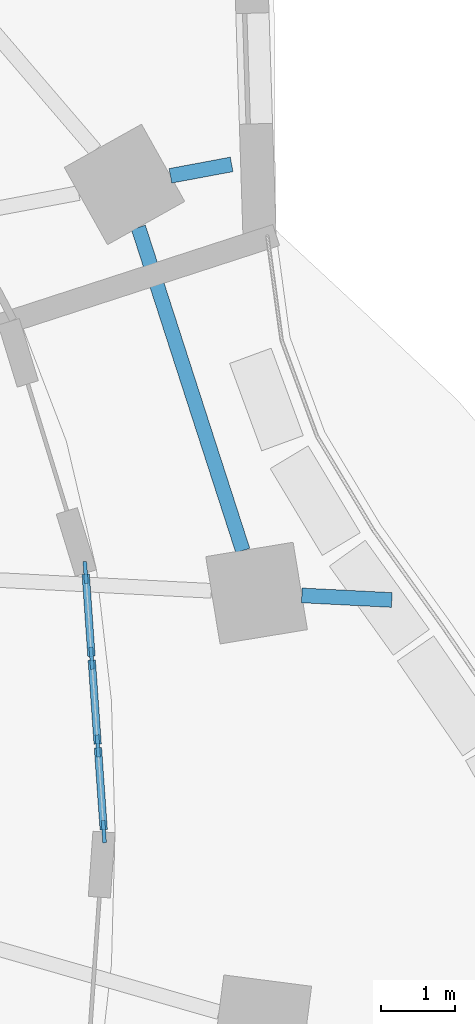
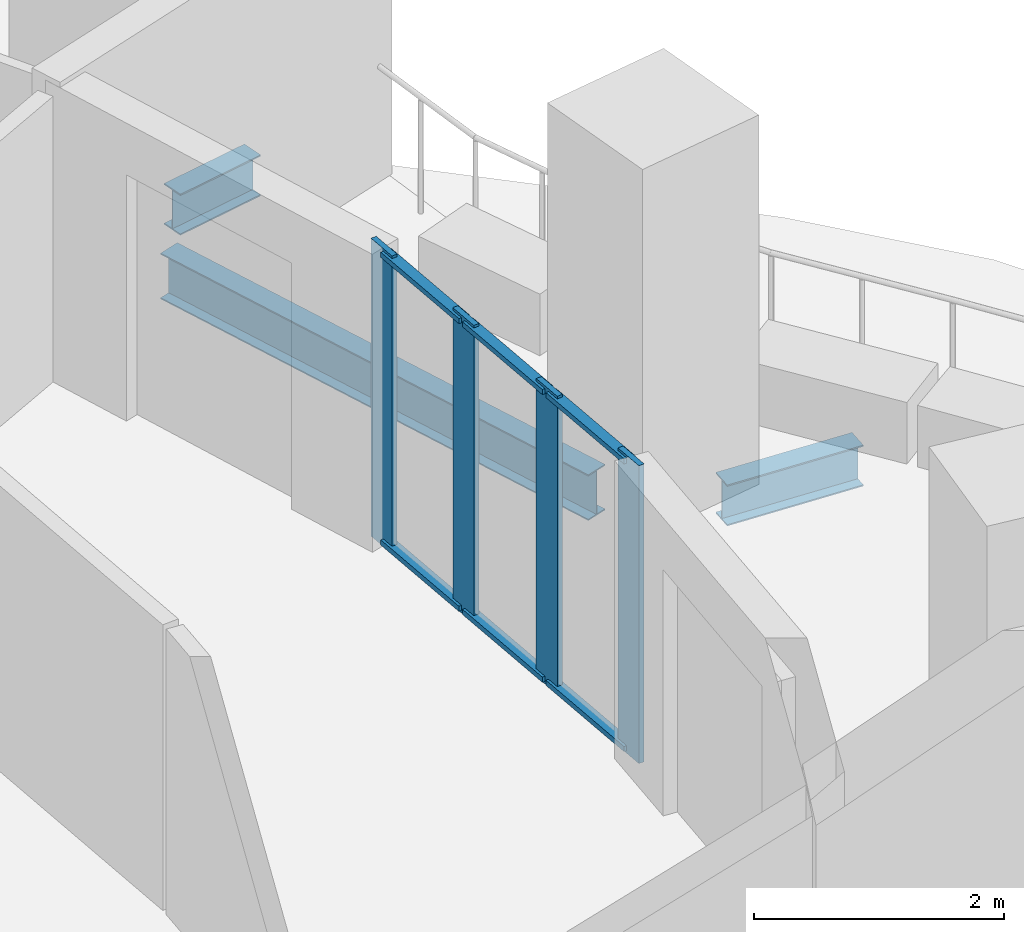
# One storey, part 2 of 13: 10 members, 3 beams, 1 element without a shape of its own.
"""IFC4 building model written with IfcOpenShell, lengths in metres."""

from ifc_helpers import new_model, si_unit, direction, frame, origin, origin_2d, place, context, subcontext, project, spatial, rectangle, i_section, extrude, material, material_profile, profile_set, type_object, element, aggregate, save


model = new_model("IFC4")

# Units and contexts
model_context = context("Model", 3, precision=1e-05, world=origin(), true_north=direction((0.0, 1.0)))
body_context = subcontext(model_context, "Body", "Model", "MODEL_VIEW")
ifc_project = project(units=[si_unit("LENGTHUNIT", "METRE"), si_unit("AREAUNIT", "SQUARE_METRE"), si_unit("VOLUMEUNIT", "CUBIC_METRE"), si_unit("PLANEANGLEUNIT", "RADIAN"), si_unit("MASSUNIT", "GRAM", prefix="KILO")], contexts=[model_context])

# Site, building, storey
site_placement = place(None, origin())
site = spatial("IfcSite", under=ifc_project, at=site_placement, CompositionType="ELEMENT")
building_placement = place(site_placement, origin())
building = spatial("IfcBuilding", under=site, at=building_placement, Name="Rubra Terraces Tower", CompositionType="ELEMENT")
storey_placement = place(building_placement, frame((0.0, 0.0, 85.199951171875)))
storey = spatial("IfcBuildingStorey", under=building, at=storey_placement, Name="L19", CompositionType="ELEMENT", Elevation=85.199951171875)

# Beams
ifc_material_1 = material(Name="Steel Q355B", Category="steel")
ifc_material_profile_1 = material_profile(ifc_material_1, i_section(OverallWidth=0.199951171875, OverallDepth=0.39990234375, WebThickness=0.008056640625, FlangeThickness=0.012939453125, at=origin_2d()), Name="HN 400x200x8x13")
ifc_profile_set_1 = profile_set([ifc_material_profile_1], Name="Steel Q355B")
beam_type_1 = type_object("IfcBeamType", Name="CANTILEVER STUB HN 400x200x8x13", PredefinedType="BEAM", material=ifc_profile_set_1)
beam_1_placement = place(storey_placement, frame((25.281982421875, 3.217041015625, -0.39990234375), z_axis=(0.998710628235, -0.05076495889, 0.0), x_axis=(0.05076495889, 0.998710628235, 0.0)))
element("IfcBeam", 1, at=beam_1_placement, inside=storey, type_object=beam_type_1, Name="beam-L19-cant-01", PredefinedType="BEAM", context=body_context, shape_type="SweptSolid", body=[
    extrude(i_section(OverallWidth=0.199951171875, OverallDepth=0.39990234375, WebThickness=0.008056640625, FlangeThickness=0.012939453125, at=origin_2d()), origin(), (0.0, 0.0, 1.0), 1.221435546875),
])
beam_2_placement = place(storey_placement, frame((23.5009765625, 8.904052734375, -0.39990234375), z_axis=(0.98300286049, 0.183590240121, 0.0), x_axis=(-0.183590240121, 0.98300286049, 0.0)))
element("IfcBeam", 2, at=beam_2_placement, inside=storey, type_object=beam_type_1, Name="beam-L19-cant-02", PredefinedType="BEAM", context=body_context, shape_type="SweptSolid", body=[
    extrude(i_section(OverallWidth=0.199951171875, OverallDepth=0.39990234375, WebThickness=0.008056640625, FlangeThickness=0.012939453125, at=origin_2d()), origin(), (0.0, 0.0, 1.0), 0.844482421875),
])
ifc_material_profile_2 = material_profile(ifc_material_1, i_section(OverallWidth=0.198974609375, OverallDepth=0.446044921875, WebThickness=0.008056640625, FlangeThickness=0.011962890625, at=origin_2d()), Name="HN 446x199x8x12")
ifc_profile_set_2 = profile_set([ifc_material_profile_2], Name="Steel Q355B")
beam_type_2 = type_object("IfcBeamType", Name="SPANDREL BEAM HN 446x199x8x12", PredefinedType="SPANDREL", material=ifc_profile_set_2)
beam_3_placement = place(storey_placement, frame((24.48193359375, 3.824951171875, -0.4228515625), z_axis=(-0.307414966872, 0.951575555667, 0.0), x_axis=(-0.951575555667, -0.307414966872, 0.0)))
element("IfcBeam", 3, at=beam_3_placement, inside=storey, type_object=beam_type_2, Name="beam-L19-spandrel-01", PredefinedType="SPANDREL", context=body_context, shape_type="SweptSolid", body=[
    extrude(i_section(OverallWidth=0.198974609375, OverallDepth=0.446044921875, WebThickness=0.008056640625, FlangeThickness=0.011962890625, at=origin_2d()), origin(), (0.0, 0.0, 1.0), 4.60302734375),
])

# Curtain wall, members
ifc_material_2 = material(Name="Aluminium and glass", Category="aluminium")
curtain_wall_type = type_object("IfcCurtainWallType", Name="Curtain wall Terrace glazing", PredefinedType="NOTDEFINED", material=ifc_material_2)
curtain_wall_placement = place(storey_placement, origin())
curtain_wall = element("IfcCurtainWall", 4, at=curtain_wall_placement, inside=storey, type_object=curtain_wall_type, Name="Terrace glazing L19", PredefinedType="NOTDEFINED")
ifc_material_3 = material(Name="Aluminium, anodised dark grey", Category="aluminium")
ifc_material_profile_3 = material_profile(ifc_material_3, rectangle(XDim=0.050048828125, YDim=0.300048828125, at=origin_2d()), Name="AL 50x300")
ifc_profile_set_3 = profile_set([ifc_material_profile_3], Name="Aluminium, anodised dark grey")
member_type_1 = type_object("IfcMemberType", Name="Terrace glazing mullion 50 x 300", PredefinedType="MULLION", material=ifc_profile_set_3)
member_1_placement = place(storey_placement, frame((22.5986328125, 0.014404296875, 0.0), z_axis=(0.0, 0.0, 1.0), x_axis=(-0.997529242184, -0.070252480296, 0.0)))
member_1 = element("IfcMember", 5, at=member_1_placement, type_object=member_type_1, Name="CW3 mullion 1", PredefinedType="MULLION", context=body_context, shape_type="SweptSolid", body=[
    extrude(rectangle(XDim=0.050048828125, YDim=0.300048828125, at=origin_2d()), origin(), (0.0, 0.0, 1.0), 2.904052734375),
])
member_2_placement = place(storey_placement, frame((22.516845703125, 1.177490234375, 0.0), z_axis=(0.0, 0.0, 1.0), x_axis=(-0.997529242184, -0.070252480296, 0.0)))
member_2 = element("IfcMember", 6, at=member_2_placement, type_object=member_type_1, Name="CW3 mullion 2", PredefinedType="MULLION", context=body_context, shape_type="SweptSolid", body=[
    extrude(rectangle(XDim=0.050048828125, YDim=0.300048828125, at=origin_2d()), origin(), (0.0, 0.0, 1.0), 2.904052734375),
])
member_3_placement = place(storey_placement, frame((22.43310546875, 2.365478515625, 0.0), z_axis=(0.0, 0.0, 1.0), x_axis=(-0.997529242184, -0.070252480296, 0.0)))
member_3 = element("IfcMember", 7, at=member_3_placement, type_object=member_type_1, Name="CW3 mullion 3", PredefinedType="MULLION", context=body_context, shape_type="SweptSolid", body=[
    extrude(rectangle(XDim=0.050048828125, YDim=0.300048828125, at=origin_2d()), origin(), (0.0, 0.0, 1.0), 2.904052734375),
])
member_4_placement = place(storey_placement, frame((22.35107421875, 3.528564453125, 0.0), z_axis=(0.0, 0.0, 1.0), x_axis=(-0.997529242184, -0.070252480296, 0.0)))
member_4 = element("IfcMember", 8, at=member_4_placement, type_object=member_type_1, Name="CW3 mullion 4", PredefinedType="MULLION", context=body_context, shape_type="SweptSolid", body=[
    extrude(rectangle(XDim=0.050048828125, YDim=0.300048828125, at=origin_2d()), origin(), (0.0, 0.0, 1.0), 2.904052734375),
])
ifc_material_profile_4 = material_profile(ifc_material_3, rectangle(XDim=0.10009765625, YDim=0.050048828125, at=origin_2d()), Name="AL 100x50")
ifc_profile_set_4 = profile_set([ifc_material_profile_4], Name="Aluminium, anodised dark grey")
member_type_2 = type_object("IfcMemberType", Name="Terrace glazing transom 100 x 50", PredefinedType="USERDEFINED", material=ifc_profile_set_4)
member_5_placement = place(storey_placement, frame((22.596923828125, 0.039306640625, 0.050048828125), z_axis=(-0.070220964704, 0.997531461216, 0.0), x_axis=(-0.997531461216, -0.070220964704, 0.0)))
member_5 = element("IfcMember", 9, at=member_5_placement, type_object=member_type_2, Name="CW3 transom 1.1", ObjectType="TRANSOM", PredefinedType="USERDEFINED", context=body_context, shape_type="SweptSolid", body=[
    extrude(rectangle(XDim=0.10009765625, YDim=0.050048828125, at=origin_2d()), origin(), (0.0, 0.0, 1.0), 1.115966796875),
])
member_6_placement = place(storey_placement, frame((22.596923828125, 0.039306640625, 2.85400390625), z_axis=(-0.070220964704, 0.997531461216, 0.0), x_axis=(-0.997531461216, -0.070220964704, 0.0)))
member_6 = element("IfcMember", 10, at=member_6_placement, type_object=member_type_2, Name="CW3 transom 1.2", ObjectType="TRANSOM", PredefinedType="USERDEFINED", context=body_context, shape_type="SweptSolid", body=[
    extrude(rectangle(XDim=0.10009765625, YDim=0.050048828125, at=origin_2d()), origin(), (0.0, 0.0, 1.0), 1.115966796875),
])
member_7_placement = place(storey_placement, frame((22.514892578125, 1.202392578125, 0.050048828125), z_axis=(-0.070182583705, 0.997534162294, 0.0), x_axis=(-0.997534162294, -0.070182583705, 0.0)))
member_7 = element("IfcMember", 11, at=member_7_placement, type_object=member_type_2, Name="CW3 transom 2.1", ObjectType="TRANSOM", PredefinedType="USERDEFINED", context=body_context, shape_type="SweptSolid", body=[
    extrude(rectangle(XDim=0.10009765625, YDim=0.050048828125, at=origin_2d()), origin(), (0.0, 0.0, 1.0), 1.14111328125),
])
member_8_placement = place(storey_placement, frame((22.514892578125, 1.202392578125, 2.85400390625), z_axis=(-0.070182583705, 0.997534162294, 0.0), x_axis=(-0.997534162294, -0.070182583705, 0.0)))
member_8 = element("IfcMember", 12, at=member_8_placement, type_object=member_type_2, Name="CW3 transom 2.2", ObjectType="TRANSOM", PredefinedType="USERDEFINED", context=body_context, shape_type="SweptSolid", body=[
    extrude(rectangle(XDim=0.10009765625, YDim=0.050048828125, at=origin_2d()), origin(), (0.0, 0.0, 1.0), 1.14111328125),
])
member_9_placement = place(storey_placement, frame((22.431396484375, 2.390380859375, 0.050048828125), z_axis=(-0.070220964704, 0.997531461216, 0.0), x_axis=(-0.997531461216, -0.070220964704, 0.0)))
member_9 = element("IfcMember", 13, at=member_9_placement, type_object=member_type_2, Name="CW3 transom 3.1", ObjectType="TRANSOM", PredefinedType="USERDEFINED", context=body_context, shape_type="SweptSolid", body=[
    extrude(rectangle(XDim=0.10009765625, YDim=0.050048828125, at=origin_2d()), origin(), (0.0, 0.0, 1.0), 1.115966796875),
])
member_10_placement = place(storey_placement, frame((22.431396484375, 2.390380859375, 2.85400390625), z_axis=(-0.070220964704, 0.997531461216, 0.0), x_axis=(-0.997531461216, -0.070220964704, 0.0)))
member_10 = element("IfcMember", 14, at=member_10_placement, type_object=member_type_2, Name="CW3 transom 3.2", ObjectType="TRANSOM", PredefinedType="USERDEFINED", context=body_context, shape_type="SweptSolid", body=[
    extrude(rectangle(XDim=0.10009765625, YDim=0.050048828125, at=origin_2d()), origin(), (0.0, 0.0, 1.0), 1.115966796875),
])
aggregate(curtain_wall, [member_1, member_2, member_3, member_4, member_5, member_6, member_7, member_8, member_9, member_10])

save(model, "model.ifc")
